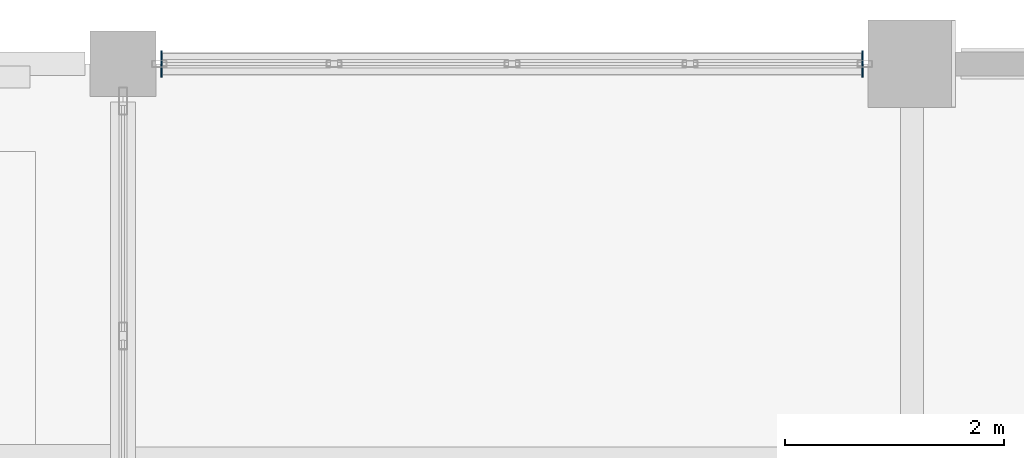
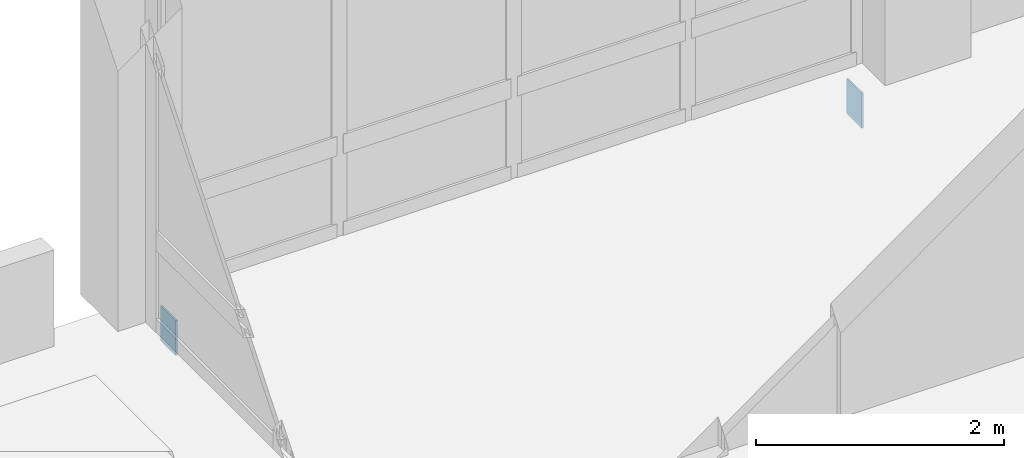
# One storey, part 149 of 186: 2 plates.
"""IFC4 building model written with IfcOpenShell, lengths in metres."""

from ifc_helpers import new_model, si_unit, direction, frame, origin, origin_2d, place, context, subcontext, project, spatial, rectangle, extrude, material, layer, layer_set, type_object, element, save


model = new_model("IFC4")

# Units and contexts
model_context = context("Model", 3, precision=1e-05, world=origin(), true_north=direction((0.0, 1.0)))
body_context = subcontext(model_context, "Body", "Model", "MODEL_VIEW")
ifc_project = project(units=[si_unit("LENGTHUNIT", "METRE"), si_unit("AREAUNIT", "SQUARE_METRE"), si_unit("VOLUMEUNIT", "CUBIC_METRE"), si_unit("PLANEANGLEUNIT", "RADIAN"), si_unit("MASSUNIT", "GRAM", prefix="KILO")], contexts=[model_context])

# Site, building, storey
site_placement = place(None, origin())
site = spatial("IfcSite", under=ifc_project, at=site_placement, CompositionType="ELEMENT")
building_placement = place(site_placement, origin())
building = spatial("IfcBuilding", under=site, at=building_placement, Name="Calvrana Isthmian Art Gallery", CompositionType="ELEMENT")
storey_placement = place(building_placement, frame((0.0, 0.0, 5.39990234375)))
storey = spatial("IfcBuildingStorey", under=building, at=storey_placement, Name="L01", CompositionType="ELEMENT", Elevation=5.39990234375)

# Plates
ifc_material = material(Name="Steel ASTM A572 Gr 50", Category="steel")
ifc_layer = layer(ifc_material, 0.01611328125, Name="Steel ASTM A572 Gr 50")
ifc_layer_set = layer_set([ifc_layer], Name="Steel ASTM A572 Gr 50")
plate_type = type_object("IfcPlateType", Name="PL-CAP-16", PredefinedType="SHEET", material=ifc_layer_set)
for number, where, z_axis, x_axis, name in (
    (1, (7.550048828125, 112.800048828125, -0.569580078125), (0.0, 0.0, 1.0), (1.0, 0.0, 0.0), "Hollow section end cap plate 431"),
    (2, (13.949951171875, 112.800048828125, -0.569580078125), (0.0, 0.0, 1.0), (1.0, 0.0, 0.0), "Hollow section end cap plate 432"),
):
    element("IfcPlate", number, at=place(storey_placement, frame(where, z_axis=z_axis, x_axis=x_axis)), inside=storey, type_object=plate_type, Name=name, PredefinedType="SHEET", context=body_context, shape_type="SweptSolid", body=[
        extrude(rectangle(XDim=0.01611328125, YDim=0.2431640625, at=origin_2d()), origin(), (0.0, 0.0, 1.0), 0.3447265625),
    ])

save(model, "model.ifc")
